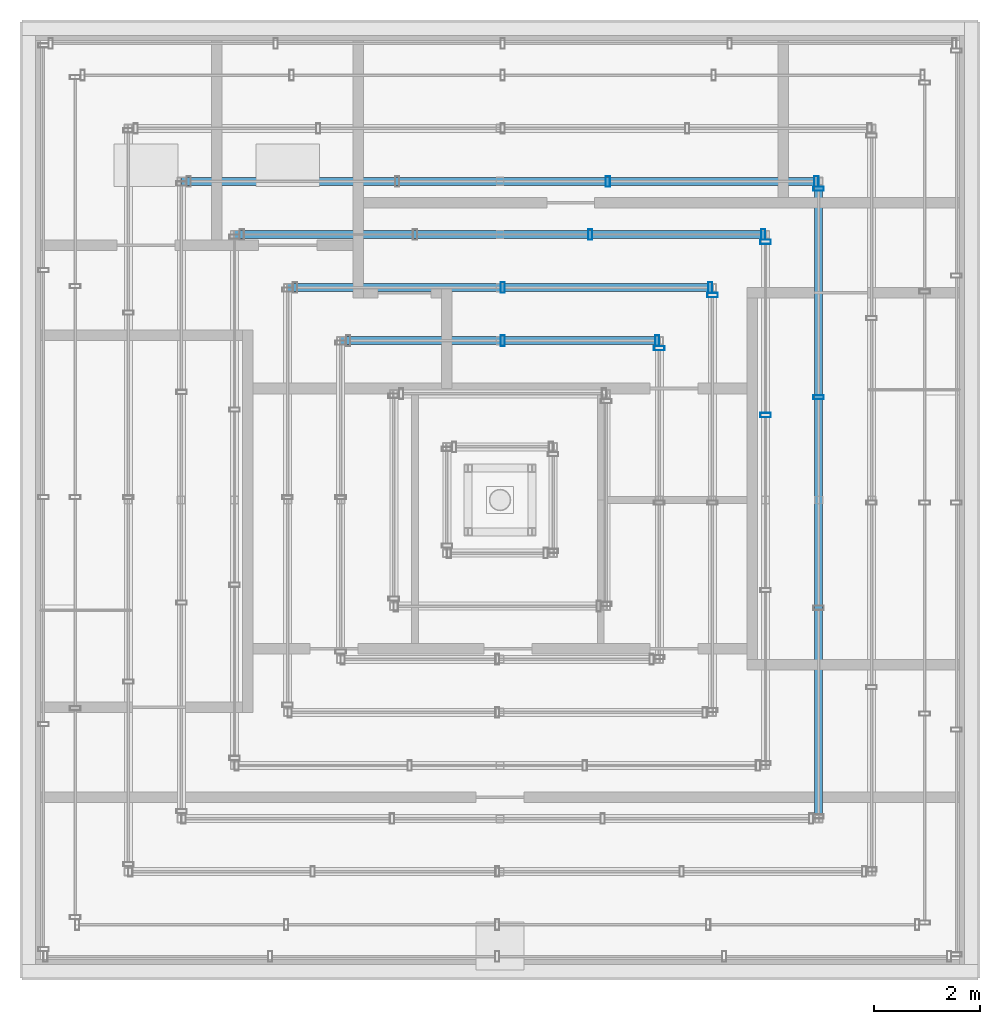
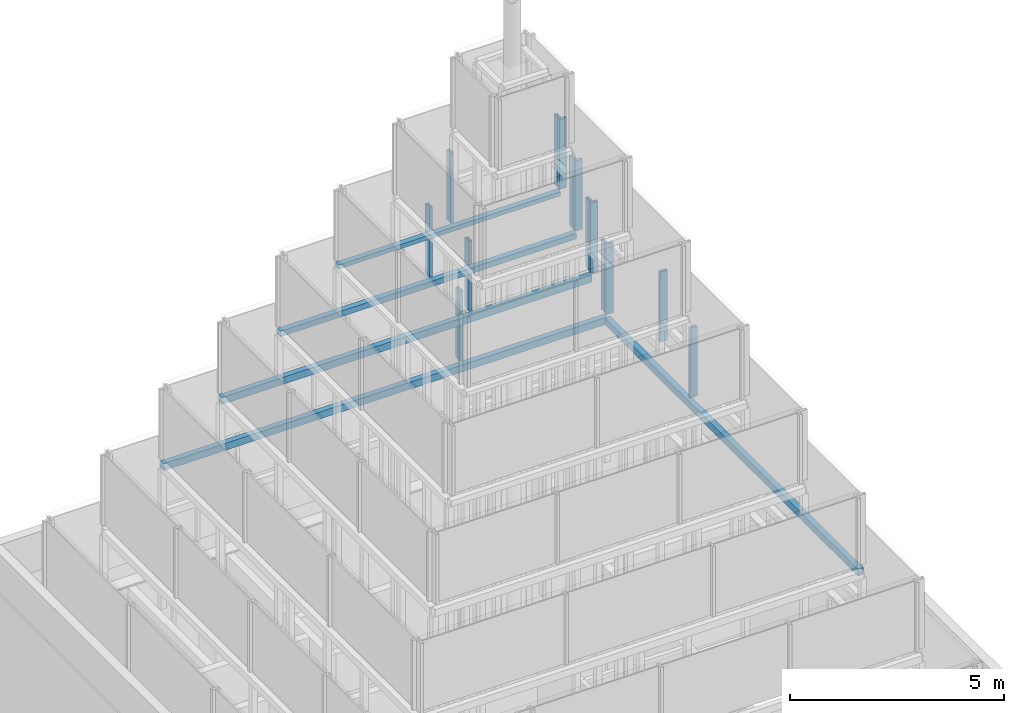
# One storey, part 14 of 24: 14 members, 5 beams, 8 elements without a shape of their own.
"""IFC4 building model written with IfcOpenShell, lengths in metres."""

from ifc_helpers import new_model, si_unit, direction, frame, origin, origin_2d, place, context, subcontext, project, spatial, hollow_rectangle, extrude, material, material_profile, profile_set, type_object, element, aggregate, save


model = new_model("IFC4")

# Units and contexts
model_context = context("Model", 3, precision=1e-05, world=origin(), true_north=direction((0.0, 1.0)))
body_context = subcontext(model_context, "Body", "Model", "MODEL_VIEW")
ifc_project = project(units=[si_unit("LENGTHUNIT", "METRE"), si_unit("AREAUNIT", "SQUARE_METRE"), si_unit("VOLUMEUNIT", "CUBIC_METRE"), si_unit("PLANEANGLEUNIT", "RADIAN"), si_unit("MASSUNIT", "GRAM", prefix="KILO")], contexts=[model_context])

# Site, building, storey
site_placement = place(None, origin())
site = spatial("IfcSite", under=ifc_project, at=site_placement, CompositionType="ELEMENT")
building_placement = place(site_placement, origin())
building = spatial("IfcBuilding", under=site, at=building_placement, Name="Altepetl Exchange Towers", CompositionType="ELEMENT")
storey_placement = place(building_placement, frame((0.0, 0.0, 279.10009765625)))
storey = spatial("IfcBuildingStorey", under=building, at=storey_placement, Name="L70 Crown plant", CompositionType="ELEMENT", Elevation=279.10009765625)

# Beams
ifc_material_1 = material(Name="Steel S355", Category="steel")
ifc_material_profile_1 = material_profile(ifc_material_1, hollow_rectangle(XDim=0.14990234375, YDim=0.1201171875, WallThickness=0.008056640625, at=origin_2d()), Name="RHS 120x150x8")
ifc_profile_set_1 = profile_set([ifc_material_profile_1], Name="Steel S355")
beam_type_1 = type_object("IfcBeamType", Name="Crown ring beam hollow section 150x120x8", PredefinedType="BEAM", material=ifc_profile_set_1)
beam_1_placement = place(storey_placement, frame((52.5, 52.5, 15.039794921875), z_axis=(-1.0, 0.0, 0.0), x_axis=(0.0, -1.0, 0.0)))
element("IfcBeam", 1, at=beam_1_placement, inside=storey, type_object=beam_type_1, Name="Crown ring beam", PredefinedType="BEAM", context=body_context, shape_type="SweptSolid", body=[
    extrude(hollow_rectangle(XDim=0.14990234375, YDim=0.1201171875, WallThickness=0.008056640625, at=origin_2d()), origin(), (0.0, 0.0, 1.0), 6.0),
])
ifc_material_profile_2 = material_profile(ifc_material_1, hollow_rectangle(XDim=0.14990234375, YDim=0.159912109375, WallThickness=0.008056640625, at=origin_2d()), Name="RHS 160x150x8")
ifc_profile_set_2 = profile_set([ifc_material_profile_2], Name="Steel S355")
beam_type_2 = type_object("IfcBeamType", Name="Crown ring beam hollow section 150x160x8", PredefinedType="BEAM", material=ifc_profile_set_2)
beam_2_placement = place(storey_placement, frame((53.5, 53.5, 12.869873046875), z_axis=(-1.0, 0.0, 0.0), x_axis=(0.0, -1.0, 0.0)))
element("IfcBeam", 2, at=beam_2_placement, inside=storey, type_object=beam_type_2, Name="Crown ring beam", PredefinedType="BEAM", context=body_context, shape_type="SweptSolid", body=[
    extrude(hollow_rectangle(XDim=0.14990234375, YDim=0.159912109375, WallThickness=0.008056640625, at=origin_2d()), origin(), (0.0, 0.0, 1.0), 8.0),
])
ifc_material_profile_3 = material_profile(ifc_material_1, hollow_rectangle(XDim=0.14990234375, YDim=0.199951171875, WallThickness=0.010009765625, at=origin_2d()), Name="RHS 200x150x10")
ifc_profile_set_3 = profile_set([ifc_material_profile_3], Name="Steel S355")
beam_type_3 = type_object("IfcBeamType", Name="Crown ring beam hollow section 150x200x10", PredefinedType="BEAM", material=ifc_profile_set_3)
beam_3_placement = place(storey_placement, frame((55.5, 43.574951171875, 8.5498046875), z_axis=(0.0, 1.0, 0.0), x_axis=(-1.0, 0.0, 0.0)))
element("IfcBeam", 3, at=beam_3_placement, inside=storey, type_object=beam_type_3, Name="Crown ring beam", PredefinedType="BEAM", context=body_context, shape_type="SweptSolid", body=[
    extrude(hollow_rectangle(XDim=0.14990234375, YDim=0.199951171875, WallThickness=0.010009765625, at=origin_2d()), origin(), (0.0, 0.0, 1.0), 11.85009765625),
])
beam_4_placement = place(storey_placement, frame((55.5, 55.5, 8.5498046875), z_axis=(-1.0, 0.0, 0.0), x_axis=(0.0, -1.0, 0.0)))
element("IfcBeam", 4, at=beam_4_placement, inside=storey, type_object=beam_type_3, Name="Crown ring beam", PredefinedType="BEAM", context=body_context, shape_type="SweptSolid", body=[
    extrude(hollow_rectangle(XDim=0.14990234375, YDim=0.199951171875, WallThickness=0.010009765625, at=origin_2d()), origin(), (0.0, 0.0, 1.0), 12.0),
])
beam_5_placement = place(storey_placement, frame((54.5, 54.5, 10.699951171875), z_axis=(-1.0, 0.0, 0.0), x_axis=(0.0, -1.0, 0.0)))
element("IfcBeam", 5, at=beam_5_placement, inside=storey, type_object=beam_type_3, Name="Crown ring beam", PredefinedType="BEAM", context=body_context, shape_type="SweptSolid", body=[
    extrude(hollow_rectangle(XDim=0.14990234375, YDim=0.199951171875, WallThickness=0.010009765625, at=origin_2d()), origin(), (0.0, 0.0, 1.0), 10.0),
])

# Curtain wall, members
ifc_material_2 = material(Name="Aluminium 6063-T6 glazing", Category="aluminium")
curtain_wall_type = type_object("IfcCurtainWallType", Name="Crown glazing system", PredefinedType="NOTDEFINED", material=ifc_material_2)
curtain_wall_1_placement = place(storey_placement, origin())
curtain_wall_1 = element("IfcCurtainWall", 6, at=curtain_wall_1_placement, inside=storey, type_object=curtain_wall_type, Name="CW7 run", PredefinedType="NOTDEFINED")
ifc_material_3 = material(Name="Aluminium 6063-T6", Category="aluminium")
ifc_material_profile_4 = material_profile(ifc_material_3, hollow_rectangle(XDim=0.080078125, YDim=0.199951171875, WallThickness=0.0029296875, at=origin_2d()), Name="Mullion 80x200 hollow aluminium")
ifc_profile_set_4 = profile_set([ifc_material_profile_4], Name="Aluminium 6063-T6")
member_type = type_object("IfcMemberType", Name="Mullion 80x200 hollow aluminium", PredefinedType="MULLION", material=ifc_profile_set_4)
member_1_placement = place(storey_placement, frame((55.5, 51.433349609375, 8.7998046875), z_axis=(0.0, 0.0, 1.0), x_axis=(0.0, 1.0, 0.0)))
member_1 = element("IfcMember", 7, at=member_1_placement, type_object=member_type, Name="MU5 mullion", PredefinedType="MULLION", context=body_context, shape_type="SweptSolid", body=[
    extrude(hollow_rectangle(XDim=0.080078125, YDim=0.199951171875, WallThickness=0.0029296875, at=origin_2d()), origin(), (0.0, 0.0, 1.0), 2.0),
])
member_2_placement = place(storey_placement, frame((55.5, 55.360107421875, 8.7998046875), z_axis=(0.0, 0.0, 1.0), x_axis=(0.0, 1.0, 0.0)))
member_2 = element("IfcMember", 8, at=member_2_placement, type_object=member_type, Name="MU5 mullion", PredefinedType="MULLION", context=body_context, shape_type="SweptSolid", body=[
    extrude(hollow_rectangle(XDim=0.080078125, YDim=0.199951171875, WallThickness=0.0029296875, at=origin_2d()), origin(), (0.0, 0.0, 1.0), 2.0),
])
aggregate(curtain_wall_1, [member_1, member_2])

curtain_wall_2_placement = place(storey_placement, origin())
curtain_wall_2 = element("IfcCurtainWall", 9, at=curtain_wall_2_placement, inside=storey, type_object=curtain_wall_type, Name="CW7 run", PredefinedType="NOTDEFINED")
member_3_placement = place(storey_placement, frame((55.4599609375, 55.5, 8.7998046875), z_axis=(0.0, 0.0, 1.0), x_axis=(-1.0, 0.0, 0.0)))
member_3 = element("IfcMember", 10, at=member_3_placement, type_object=member_type, Name="MU5 mullion", PredefinedType="MULLION", context=body_context, shape_type="SweptSolid", body=[
    extrude(hollow_rectangle(XDim=0.080078125, YDim=0.199951171875, WallThickness=0.0029296875, at=origin_2d()), origin(), (0.0, 0.0, 1.0), 2.0),
])
member_4_placement = place(storey_placement, frame((51.533447265625, 55.5, 8.7998046875), z_axis=(0.0, 0.0, 1.0), x_axis=(-1.0, 0.0, 0.0)))
member_4 = element("IfcMember", 11, at=member_4_placement, type_object=member_type, Name="MU5 mullion", PredefinedType="MULLION", context=body_context, shape_type="SweptSolid", body=[
    extrude(hollow_rectangle(XDim=0.080078125, YDim=0.199951171875, WallThickness=0.0029296875, at=origin_2d()), origin(), (0.0, 0.0, 1.0), 2.0),
])
aggregate(curtain_wall_2, [member_3, member_4])

curtain_wall_3_placement = place(storey_placement, origin())
curtain_wall_3 = element("IfcCurtainWall", 12, at=curtain_wall_3_placement, inside=storey, type_object=curtain_wall_type, Name="CW7 run", PredefinedType="NOTDEFINED")
member_5_placement = place(storey_placement, frame((54.5, 51.10009765625, 10.949951171875), z_axis=(0.0, 0.0, 1.0), x_axis=(0.0, 1.0, 0.0)))
member_5 = element("IfcMember", 13, at=member_5_placement, type_object=member_type, Name="MU5 mullion", PredefinedType="MULLION", context=body_context, shape_type="SweptSolid", body=[
    extrude(hollow_rectangle(XDim=0.080078125, YDim=0.199951171875, WallThickness=0.0029296875, at=origin_2d()), origin(), (0.0, 0.0, 1.0), 2.0),
])
member_6_placement = place(storey_placement, frame((54.5, 54.360107421875, 10.949951171875), z_axis=(0.0, 0.0, 1.0), x_axis=(0.0, 1.0, 0.0)))
member_6 = element("IfcMember", 14, at=member_6_placement, type_object=member_type, Name="MU5 mullion", PredefinedType="MULLION", context=body_context, shape_type="SweptSolid", body=[
    extrude(hollow_rectangle(XDim=0.080078125, YDim=0.199951171875, WallThickness=0.0029296875, at=origin_2d()), origin(), (0.0, 0.0, 1.0), 2.0),
])
aggregate(curtain_wall_3, [member_5, member_6])

curtain_wall_4_placement = place(storey_placement, origin())
curtain_wall_4 = element("IfcCurtainWall", 15, at=curtain_wall_4_placement, inside=storey, type_object=curtain_wall_type, Name="CW7 run", PredefinedType="NOTDEFINED")
member_7_placement = place(storey_placement, frame((54.4599609375, 54.5, 10.949951171875), z_axis=(0.0, 0.0, 1.0), x_axis=(-1.0, 0.0, 0.0)))
member_7 = element("IfcMember", 16, at=member_7_placement, type_object=member_type, Name="MU5 mullion", PredefinedType="MULLION", context=body_context, shape_type="SweptSolid", body=[
    extrude(hollow_rectangle(XDim=0.080078125, YDim=0.199951171875, WallThickness=0.0029296875, at=origin_2d()), origin(), (0.0, 0.0, 1.0), 2.0),
])
member_8_placement = place(storey_placement, frame((51.199951171875, 54.5, 10.949951171875), z_axis=(0.0, 0.0, 1.0), x_axis=(-1.0, 0.0, 0.0)))
member_8 = element("IfcMember", 17, at=member_8_placement, type_object=member_type, Name="MU5 mullion", PredefinedType="MULLION", context=body_context, shape_type="SweptSolid", body=[
    extrude(hollow_rectangle(XDim=0.080078125, YDim=0.199951171875, WallThickness=0.0029296875, at=origin_2d()), origin(), (0.0, 0.0, 1.0), 2.0),
])
aggregate(curtain_wall_4, [member_7, member_8])

# Curtain wall, member
curtain_wall_5_placement = place(storey_placement, origin())
curtain_wall_5 = element("IfcCurtainWall", 18, at=curtain_wall_5_placement, inside=storey, type_object=curtain_wall_type, Name="CW7 run", PredefinedType="NOTDEFINED")
member_9_placement = place(storey_placement, frame((53.5, 53.360107421875, 13.099853515625), z_axis=(0.0, 0.0, 1.0), x_axis=(0.0, 1.0, 0.0)))
member_9 = element("IfcMember", 19, at=member_9_placement, type_object=member_type, Name="MU5 mullion", PredefinedType="MULLION", context=body_context, shape_type="SweptSolid", body=[
    extrude(hollow_rectangle(XDim=0.080078125, YDim=0.199951171875, WallThickness=0.0029296875, at=origin_2d()), origin(), (0.0, 0.0, 1.0), 2.0),
])
aggregate(curtain_wall_5, [member_9])

# Curtain wall, members
curtain_wall_6_placement = place(storey_placement, origin())
curtain_wall_6 = element("IfcCurtainWall", 20, at=curtain_wall_6_placement, inside=storey, type_object=curtain_wall_type, Name="CW7 run", PredefinedType="NOTDEFINED")
member_10_placement = place(storey_placement, frame((53.4599609375, 53.5, 13.099853515625), z_axis=(0.0, 0.0, 1.0), x_axis=(-1.0, 0.0, 0.0)))
member_10 = element("IfcMember", 21, at=member_10_placement, type_object=member_type, Name="MU5 mullion", PredefinedType="MULLION", context=body_context, shape_type="SweptSolid", body=[
    extrude(hollow_rectangle(XDim=0.080078125, YDim=0.199951171875, WallThickness=0.0029296875, at=origin_2d()), origin(), (0.0, 0.0, 1.0), 2.0),
])
member_11_placement = place(storey_placement, frame((49.550048828125, 53.5, 13.099853515625), z_axis=(0.0, 0.0, 1.0), x_axis=(-1.0, 0.0, 0.0)))
member_11 = element("IfcMember", 22, at=member_11_placement, type_object=member_type, Name="MU5 mullion", PredefinedType="MULLION", context=body_context, shape_type="SweptSolid", body=[
    extrude(hollow_rectangle(XDim=0.080078125, YDim=0.199951171875, WallThickness=0.0029296875, at=origin_2d()), origin(), (0.0, 0.0, 1.0), 2.0),
])
aggregate(curtain_wall_6, [member_10, member_11])

# Curtain wall, member
curtain_wall_7_placement = place(storey_placement, origin())
curtain_wall_7 = element("IfcCurtainWall", 23, at=curtain_wall_7_placement, inside=storey, type_object=curtain_wall_type, Name="CW7 run", PredefinedType="NOTDEFINED")
member_12_placement = place(storey_placement, frame((52.5, 52.360107421875, 15.25), z_axis=(0.0, 0.0, 1.0), x_axis=(0.0, 1.0, 0.0)))
member_12 = element("IfcMember", 24, at=member_12_placement, type_object=member_type, Name="MU5 mullion", PredefinedType="MULLION", context=body_context, shape_type="SweptSolid", body=[
    extrude(hollow_rectangle(XDim=0.080078125, YDim=0.199951171875, WallThickness=0.0029296875, at=origin_2d()), origin(), (0.0, 0.0, 1.0), 2.0),
])
aggregate(curtain_wall_7, [member_12])

# Curtain wall, members
curtain_wall_8_placement = place(storey_placement, origin())
curtain_wall_8 = element("IfcCurtainWall", 25, at=curtain_wall_8_placement, inside=storey, type_object=curtain_wall_type, Name="CW7 run", PredefinedType="NOTDEFINED")
member_13_placement = place(storey_placement, frame((52.4599609375, 52.5, 15.25), z_axis=(0.0, 0.0, 1.0), x_axis=(-1.0, 0.0, 0.0)))
member_13 = element("IfcMember", 26, at=member_13_placement, type_object=member_type, Name="MU5 mullion", PredefinedType="MULLION", context=body_context, shape_type="SweptSolid", body=[
    extrude(hollow_rectangle(XDim=0.080078125, YDim=0.199951171875, WallThickness=0.0029296875, at=origin_2d()), origin(), (0.0, 0.0, 1.0), 2.0),
])
member_14_placement = place(storey_placement, frame((49.550048828125, 52.5, 15.25), z_axis=(0.0, 0.0, 1.0), x_axis=(-1.0, 0.0, 0.0)))
member_14 = element("IfcMember", 27, at=member_14_placement, type_object=member_type, Name="MU5 mullion", PredefinedType="MULLION", context=body_context, shape_type="SweptSolid", body=[
    extrude(hollow_rectangle(XDim=0.080078125, YDim=0.199951171875, WallThickness=0.0029296875, at=origin_2d()), origin(), (0.0, 0.0, 1.0), 2.0),
])
aggregate(curtain_wall_8, [member_13, member_14])

save(model, "model.ifc")
